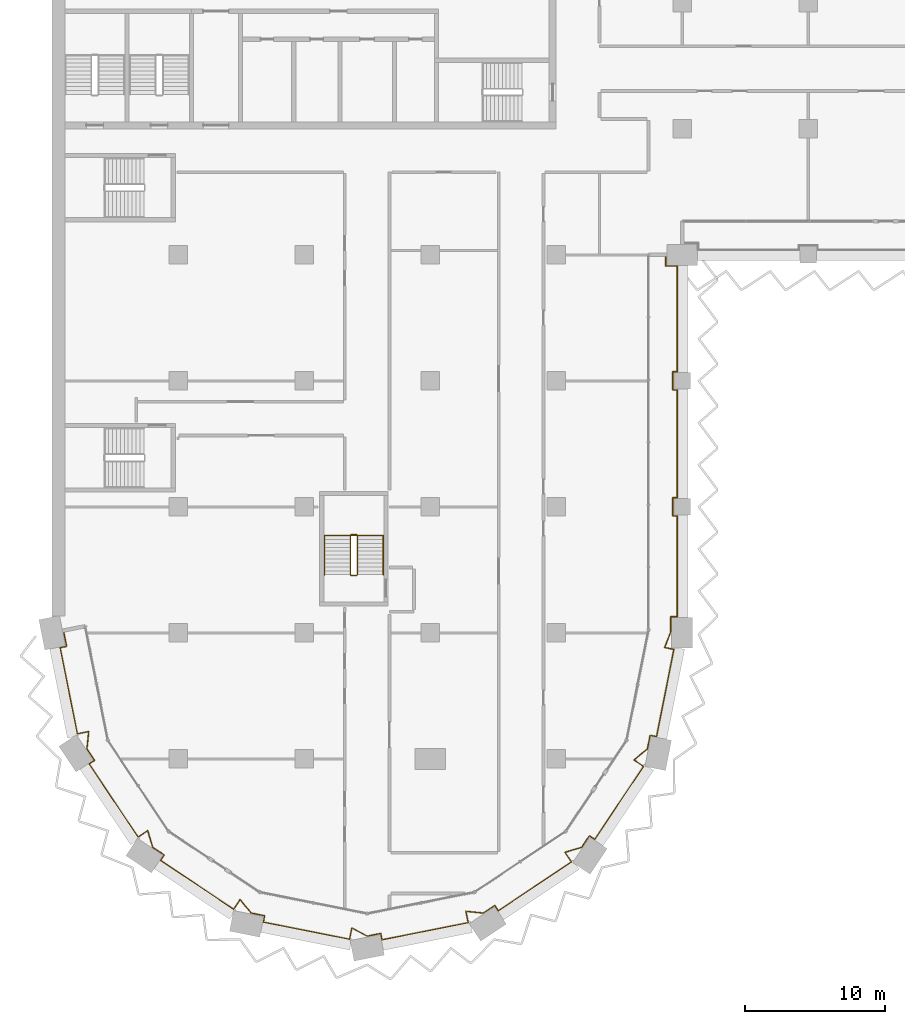
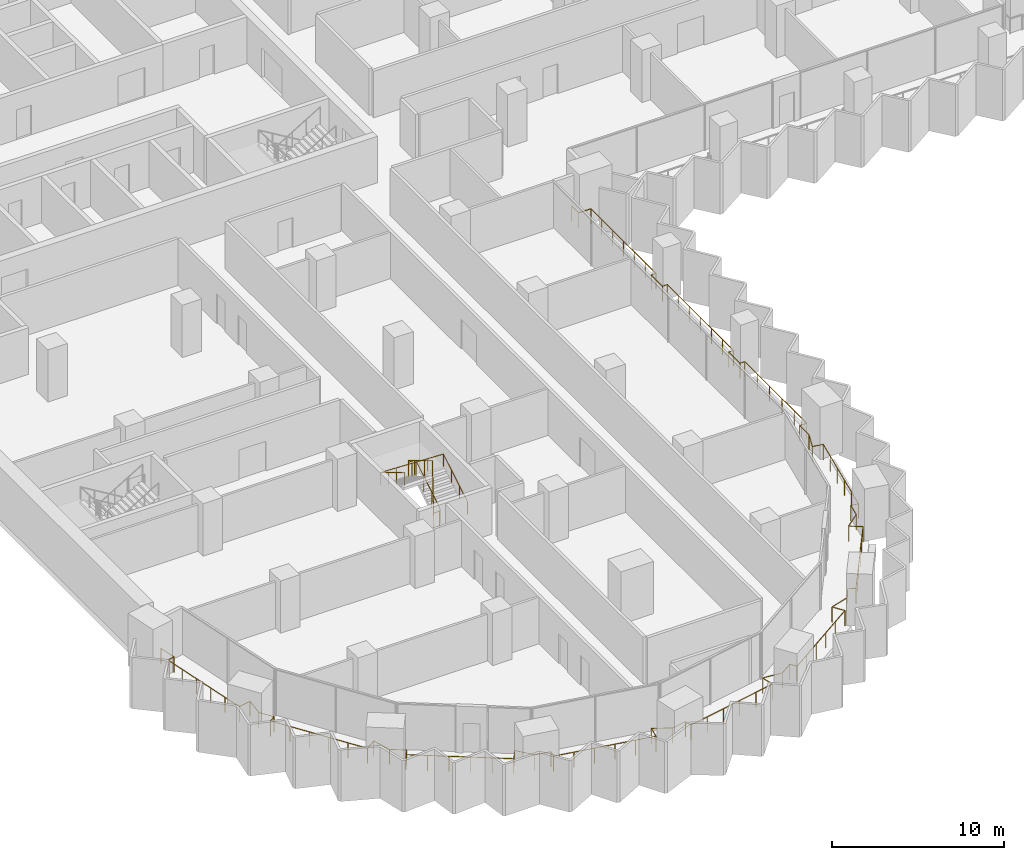
# One storey, part 20 of 23: 3 railings.
"""IFC4 building model written with IfcOpenShell, lengths in metres."""

from ifc_helpers import new_model, si_unit, direction, frame, origin, origin_2d, place, context, subcontext, project, spatial, circle, extrude, material, type_object, element, save


model = new_model("IFC4")

# Units and contexts
model_context = context("Model", 3, precision=1e-05, world=origin(), true_north=direction((0.0, 1.0)))
body_context = subcontext(model_context, "Body", "Model", "MODEL_VIEW")
ifc_project = project(units=[si_unit("LENGTHUNIT", "METRE"), si_unit("AREAUNIT", "SQUARE_METRE"), si_unit("VOLUMEUNIT", "CUBIC_METRE"), si_unit("PLANEANGLEUNIT", "RADIAN"), si_unit("MASSUNIT", "GRAM", prefix="KILO")], contexts=[model_context])

# Site, building, storey
site_placement = place(None, origin())
site = spatial("IfcSite", under=ifc_project, at=site_placement, CompositionType="ELEMENT")
building_placement = place(site_placement, origin())
building = spatial("IfcBuilding", under=site, at=building_placement, Name="Hunhe Ridgeline Campus", CompositionType="ELEMENT")
storey_placement = place(building_placement, frame((0.0, 0.0, 99.60009765625)))
storey = spatial("IfcBuildingStorey", under=building, at=storey_placement, Name="L24", CompositionType="ELEMENT", Elevation=99.60009765625)

# Railings
ifc_material_1 = material(Name="Steel Q355", Category="steel")
railing_type_1 = type_object("IfcRailingType", Name="Loggia guard 1100 Steel Q355", PredefinedType="GUARDRAIL", material=ifc_material_1)
railing_1_placement = place(storey_placement, frame((0.80419921875, 27.159912109375, 0.0)))
element("IfcRailing", 1, at=railing_1_placement, inside=storey, type_object=railing_type_1, Name="Loggia guard 1", PredefinedType="GUARDRAIL", context=body_context, shape_type="SweptSolid", body=[
    extrude(circle(Radius=0.02392578125, at=origin_2d()), frame((0.0, 0.0, 1.076171875), z_axis=(0.195095399255, -0.980784270464, 0.0), x_axis=(0.980784270464, 0.195095399255, 0.0)), (0.0, 0.0, 1.0), 1.150146484375),
    extrude(circle(Radius=0.02392578125, at=origin_2d()), frame((0.224365234375, -1.1279296875, 1.076171875), z_axis=(-0.980839571814, -0.194817181902, 0.0), x_axis=(0.194817181902, -0.980839571814, 0.0)), (0.0, 0.0, 1.0), 0.469970703125),
    extrude(circle(Radius=0.02392578125, at=origin_2d()), frame((-0.236572265625, -1.219482421875, 1.076171875), z_axis=(0.195091122585, -0.98078512116, 0.0), x_axis=(0.98078512116, 0.195091122585, 0.0)), (0.0, 0.0, 1.0), 6.27587890625),
    extrude(circle(Radius=0.02392578125, at=origin_2d()), frame((0.98779296875, -7.374755859375, 1.076171875), z_axis=(0.980805242724, 0.194989937807, 0.0), x_axis=(-0.194989937807, 0.980805242724, 0.0)), (0.0, 0.0, 1.0), 0.833984375),
    extrude(circle(Radius=0.02392578125, at=origin_2d()), frame((1.8056640625, -7.212158203125, 1.076171875), z_axis=(-0.10024174874, -0.994963110778, 0.0), x_axis=(0.994963110778, -0.10024174874, 0.0)), (0.0, 0.0, 1.0), 1.24462890625),
    extrude(circle(Radius=0.02392578125, at=origin_2d()), frame((1.680908203125, -8.450439453125, 1.076171875), z_axis=(0.555613261421, -0.831440860034, 0.0), x_axis=(0.831440860034, 0.555613261421, 0.0)), (0.0, 0.0, 1.0), 0.98681640625),
    extrude(circle(Radius=0.02392578125, at=origin_2d()), frame((2.229248046875, -9.27099609375, 1.076171875), z_axis=(-0.831650496226, -0.55529942565, 0.0), x_axis=(0.55529942565, -0.831650496226, 0.0)), (0.0, 0.0, 1.0), 0.469970703125),
    extrude(circle(Radius=0.02392578125, at=origin_2d()), frame((1.83837890625, -9.531982421875, 1.076171875), z_axis=(0.55555274607, -0.831481296443, 0.0), x_axis=(0.831481296443, 0.55555274607, 0.0)), (0.0, 0.0, 1.0), 6.27587890625),
    extrude(circle(Radius=0.02392578125, at=origin_2d()), frame((5.324951171875, -14.750244140625, 1.076171875), z_axis=(0.831419211319, 0.555645656016, 0.0), x_axis=(-0.555645656016, 0.831419211319, 0.0)), (0.0, 0.0, 1.0), 0.833984375),
    extrude(circle(Radius=0.02392578125, at=origin_2d()), frame((6.018310546875, -14.286865234375, 1.076171875), z_axis=(0.288373576958, -0.957517979002, 0.0), x_axis=(0.957517979002, 0.288373576958, 0.0)), (0.0, 0.0, 1.0), 1.24462890625),
    extrude(circle(Radius=0.02392578125, at=origin_2d()), frame((6.377197265625, -15.478515625, 1.076171875), z_axis=(0.831440860034, -0.555613261421, 0.0), x_axis=(0.555613261421, 0.831440860034, 0.0)), (0.0, 0.0, 1.0), 0.98681640625),
    extrude(circle(Radius=0.02392578125, at=origin_2d()), frame((7.19775390625, -16.02685546875, 1.076171875), z_axis=(-0.555658548717, -0.831410594856, 0.0), x_axis=(0.831410594856, -0.555658548717, 0.0)), (0.0, 0.0, 1.0), 0.47021484375),
    extrude(circle(Radius=0.02392578125, at=origin_2d()), frame((6.9365234375, -16.417724609375, 1.076171875), z_axis=(0.831469289337, -0.555570716372, 0.0), x_axis=(0.555570716372, 0.831469289337, 0.0)), (0.0, 0.0, 1.0), 6.275634765625),
    extrude(circle(Radius=0.02392578125, at=origin_2d()), frame((12.154541015625, -19.904296875, 1.076171875), z_axis=(0.555645656016, 0.831419211319, 0.0), x_axis=(-0.831419211319, 0.555645656016, 0.0)), (0.0, 0.0, 1.0), 0.833984375),
    extrude(circle(Radius=0.02392578125, at=origin_2d()), frame((12.617919921875, -19.2109375, 1.076171875), z_axis=(0.632628709191, -0.774455238414, 0.0), x_axis=(0.774455238414, 0.632628709191, 0.0)), (0.0, 0.0, 1.0), 1.24462890625),
    extrude(circle(Radius=0.02392578125, at=origin_2d()), frame((13.4052734375, -20.1748046875, 1.076171875), z_axis=(0.980770488785, -0.195164669773, 0.0), x_axis=(0.195164669773, 0.980770488785, 0.0)), (0.0, 0.0, 1.0), 0.987060546875),
    extrude(circle(Radius=0.02392578125, at=origin_2d()), frame((14.373291015625, -20.367431640625, 1.076171875), z_axis=(-0.195316901017, -0.980740183829, 0.0), x_axis=(0.980740183829, -0.195316901017, 0.0)), (0.0, 0.0, 1.0), 0.469970703125),
    extrude(circle(Radius=0.02392578125, at=origin_2d()), frame((14.281494140625, -20.828369140625, 1.076171875), z_axis=(0.98078512116, -0.195091122585, 0.0), x_axis=(0.195091122585, 0.98078512116, 0.0)), (0.0, 0.0, 1.0), 6.27587890625),
    extrude(circle(Radius=0.02392578125, at=origin_2d()), frame((20.436767578125, -22.052734375, 1.076171875), z_axis=(0.194989937807, 0.980805242724, 0.0), x_axis=(-0.980805242724, 0.194989937807, 0.0)), (0.0, 0.0, 1.0), 0.833984375),
    extrude(circle(Radius=0.02392578125, at=origin_2d()), frame((20.599365234375, -21.23486328125, 1.076171875), z_axis=(0.880980801229, -0.473152013486, 0.0), x_axis=(0.473152013486, 0.880980801229, 0.0)), (0.0, 0.0, 1.0), 1.24462890625),
    extrude(circle(Radius=0.02392578125, at=origin_2d()), frame((21.69580078125, -21.82373046875, 1.076171875), z_axis=(0.98081780924, 0.194926717196, 0.0), x_axis=(-0.194926717196, 0.98081780924, 0.0)), (0.0, 0.0, 1.0), 0.987060546875),
    extrude(circle(Radius=0.02392578125, at=origin_2d()), frame((22.663818359375, -21.63134765625, 1.076171875), z_axis=(0.194817181902, -0.980839571814, 0.0), x_axis=(0.980839571814, 0.194817181902, 0.0)), (0.0, 0.0, 1.0), 0.469970703125),
    extrude(circle(Radius=0.02392578125, at=origin_2d()), frame((22.75537109375, -22.09228515625, 1.076171875), z_axis=(0.98078512116, 0.195091122585, 0.0), x_axis=(-0.195091122585, 0.98078512116, 0.0)), (0.0, 0.0, 1.0), 6.27587890625),
    extrude(circle(Radius=0.02392578125, at=origin_2d()), frame((28.91064453125, -20.867919921875, 1.076171875), z_axis=(-0.194989937807, 0.980805242724, 0.0), x_axis=(-0.980805242724, -0.194989937807, 0.0)), (0.0, 0.0, 1.0), 0.833984375),
    extrude(circle(Radius=0.02392578125, at=origin_2d()), frame((28.748046875, -20.050048828125, 1.076171875), z_axis=(0.994963110778, -0.10024174874, 0.0), x_axis=(0.10024174874, 0.994963110778, 0.0)), (0.0, 0.0, 1.0), 1.24462890625),
    extrude(circle(Radius=0.02392578125, at=origin_2d()), frame((29.986328125, -20.1748046875, 1.076171875), z_axis=(0.831440860034, 0.555613261421, 0.0), x_axis=(-0.555613261421, 0.831440860034, 0.0)), (0.0, 0.0, 1.0), 0.98681640625),
    extrude(circle(Radius=0.02392578125, at=origin_2d()), frame((30.806884765625, -19.62646484375, 1.076171875), z_axis=(0.55529942565, -0.831650496226, 0.0), x_axis=(0.831650496226, 0.55529942565, 0.0)), (0.0, 0.0, 1.0), 0.469970703125),
    extrude(circle(Radius=0.02392578125, at=origin_2d()), frame((31.06787109375, -20.017333984375, 1.076171875), z_axis=(0.831481296443, 0.55555274607, 0.0), x_axis=(-0.55555274607, 0.831481296443, 0.0)), (0.0, 0.0, 1.0), 6.27587890625),
    extrude(circle(Radius=0.02392578125, at=origin_2d()), frame((36.2861328125, -16.53076171875, 1.076171875), z_axis=(-0.555645656016, 0.831419211319, 0.0), x_axis=(-0.831419211319, -0.555645656016, 0.0)), (0.0, 0.0, 1.0), 0.833984375),
    extrude(circle(Radius=0.02392578125, at=origin_2d()), frame((35.82275390625, -15.83740234375, 1.076171875), z_axis=(0.957517979002, 0.288373576958, 0.0), x_axis=(-0.288373576958, 0.957517979002, 0.0)), (0.0, 0.0, 1.0), 1.24462890625),
    extrude(circle(Radius=0.02392578125, at=origin_2d()), frame((37.014404296875, -15.478515625, 1.076171875), z_axis=(0.555613261421, 0.831440860034, 0.0), x_axis=(-0.831440860034, 0.555613261421, 0.0)), (0.0, 0.0, 1.0), 0.98681640625),
    extrude(circle(Radius=0.02392578125, at=origin_2d()), frame((37.562744140625, -14.657958984375, 1.076171875), z_axis=(0.831410594856, -0.555658548717, 0.0), x_axis=(0.555658548717, 0.831410594856, 0.0)), (0.0, 0.0, 1.0), 0.47021484375),
    extrude(circle(Radius=0.02392578125, at=origin_2d()), frame((37.95361328125, -14.919189453125, 1.076171875), z_axis=(0.555570716372, 0.831469289337, 0.0), x_axis=(-0.831469289337, 0.555570716372, 0.0)), (0.0, 0.0, 1.0), 6.275634765625),
    extrude(circle(Radius=0.02392578125, at=origin_2d()), frame((41.440185546875, -9.701171875, 1.076171875), z_axis=(-0.831419211319, 0.555645656016, 0.0), x_axis=(-0.555645656016, -0.831419211319, 0.0)), (0.0, 0.0, 1.0), 0.833984375),
    extrude(circle(Radius=0.02392578125, at=origin_2d()), frame((40.746826171875, -9.23779296875, 1.076171875), z_axis=(0.774455238414, 0.632628709191, 0.0), x_axis=(-0.632628709191, 0.774455238414, 0.0)), (0.0, 0.0, 1.0), 1.24462890625),
    extrude(circle(Radius=0.02392578125, at=origin_2d()), frame((41.710693359375, -8.450439453125, 1.076171875), z_axis=(0.195164669773, 0.980770488785, 0.0), x_axis=(-0.980770488785, 0.195164669773, 0.0)), (0.0, 0.0, 1.0), 0.987060546875),
    extrude(circle(Radius=0.02392578125, at=origin_2d()), frame((41.9033203125, -7.482421875, 1.076171875), z_axis=(0.980740183829, -0.195316901017, 0.0), x_axis=(0.195316901017, 0.980740183829, 0.0)), (0.0, 0.0, 1.0), 0.469970703125),
    extrude(circle(Radius=0.02392578125, at=origin_2d()), frame((42.3642578125, -7.57421875, 1.076171875), z_axis=(0.195074166836, 0.98078849373, 0.0), x_axis=(-0.98078849373, 0.195074166836, 0.0)), (0.0, 0.0, 1.0), 6.35400390625),
    extrude(circle(Radius=0.02392578125, at=origin_2d()), frame((43.603759765625, -1.34228515625, 1.076171875), z_axis=(-0.980818178173, 0.194924860818, 0.0), x_axis=(-0.194924860818, -0.980818178173, 0.0)), (0.0, 0.0, 1.0), 0.670166015625),
    extrude(circle(Radius=0.02392578125, at=origin_2d()), frame((42.946533203125, -1.211669921875, 1.076171875), z_axis=(0.354368618256, 0.935105813475, 0.0), x_axis=(-0.935105813475, 0.354368618256, 0.0)), (0.0, 0.0, 1.0), 1.211181640625),
    extrude(circle(Radius=0.02392578125, at=origin_2d()), frame((43.375732421875, -0.0791015625, 1.076171875), z_axis=(0.0, 1.0, 0.0), x_axis=(-1.0, 0.0, 0.0)), (0.0, 0.0, 1.0), 1.069091796875),
    extrude(circle(Radius=0.02392578125, at=origin_2d()), frame((43.375732421875, 0.989990234375, 1.076171875), z_axis=(1.0, 0.0, 0.0), x_axis=(0.0, 1.0, 0.0)), (0.0, 0.0, 1.0), 0.469970703125),
    extrude(circle(Radius=0.02392578125, at=origin_2d()), frame((43.845703125, 0.989990234375, 1.076171875), z_axis=(0.0, 1.0, 0.0), x_axis=(-1.0, 0.0, 0.0)), (0.0, 0.0, 1.0), 7.2001953125),
    extrude(circle(Radius=0.02392578125, at=origin_2d()), frame((43.845703125, 8.190185546875, 1.076171875), z_axis=(-1.0, 0.0, 0.0), x_axis=(0.0, -1.0, 0.0)), (0.0, 0.0, 1.0), 0.31982421875),
    extrude(circle(Radius=0.02392578125, at=origin_2d()), frame((43.52587890625, 8.190185546875, 1.076171875), z_axis=(0.0, 1.0, 0.0), x_axis=(-1.0, 0.0, 0.0)), (0.0, 0.0, 1.0), 1.2998046875),
    extrude(circle(Radius=0.02392578125, at=origin_2d()), frame((43.52587890625, 9.489990234375, 1.076171875), z_axis=(1.0, 0.0, 0.0), x_axis=(0.0, 1.0, 0.0)), (0.0, 0.0, 1.0), 0.31982421875),
    extrude(circle(Radius=0.02392578125, at=origin_2d()), frame((43.845703125, 9.489990234375, 1.076171875), z_axis=(0.0, 1.0, 0.0), x_axis=(-1.0, 0.0, 0.0)), (0.0, 0.0, 1.0), 7.7001953125),
    extrude(circle(Radius=0.02392578125, at=origin_2d()), frame((43.845703125, 17.190185546875, 1.076171875), z_axis=(-1.0, 0.0, 0.0), x_axis=(0.0, -1.0, 0.0)), (0.0, 0.0, 1.0), 0.31982421875),
    extrude(circle(Radius=0.02392578125, at=origin_2d()), frame((43.52587890625, 17.190185546875, 1.076171875), z_axis=(0.0, 1.0, 0.0), x_axis=(-1.0, 0.0, 0.0)), (0.0, 0.0, 1.0), 1.2998046875),
    extrude(circle(Radius=0.02392578125, at=origin_2d()), frame((43.52587890625, 18.489990234375, 1.076171875), z_axis=(1.0, 0.0, 0.0), x_axis=(0.0, 1.0, 0.0)), (0.0, 0.0, 1.0), 0.31982421875),
    extrude(circle(Radius=0.02392578125, at=origin_2d()), frame((43.845703125, 18.489990234375, 1.076171875), z_axis=(0.0, 1.0, 0.0), x_axis=(-1.0, 0.0, 0.0)), (0.0, 0.0, 1.0), 7.550048828125),
    extrude(circle(Radius=0.02392578125, at=origin_2d()), frame((43.845703125, 26.0400390625, 1.076171875), z_axis=(-1.0, 0.0, 0.0), x_axis=(0.0, -1.0, 0.0)), (0.0, 0.0, 1.0), 0.81982421875),
    extrude(circle(Radius=0.02392578125, at=origin_2d()), frame((43.02587890625, 26.0400390625, 1.076171875), z_axis=(0.0, 1.0, 0.0), x_axis=(-1.0, 0.0, 0.0)), (0.0, 0.0, 1.0), 0.800048828125),
    extrude(circle(Radius=0.02099609375, at=origin_2d()), origin(), (0.0, 0.0, 1.0), 1.052001953125),
    extrude(circle(Radius=0.02099609375, at=origin_2d()), frame((0.224365234375, -1.1279296875, 0.0)), (0.0, 0.0, 1.0), 1.052001953125),
    extrude(circle(Radius=0.02099609375, at=origin_2d()), frame((-0.236572265625, -1.219482421875, 0.0)), (0.0, 0.0, 1.0), 1.052001953125),
    extrude(circle(Radius=0.02099609375, at=origin_2d()), frame((0.00830078125, -2.450439453125, 0.0)), (0.0, 0.0, 1.0), 1.052001953125),
    extrude(circle(Radius=0.02099609375, at=origin_2d()), frame((0.253173828125, -3.681640625, 0.0)), (0.0, 0.0, 1.0), 1.052001953125),
    extrude(circle(Radius=0.02099609375, at=origin_2d()), frame((0.498046875, -4.91259765625, 0.0)), (0.0, 0.0, 1.0), 1.052001953125),
    extrude(circle(Radius=0.02099609375, at=origin_2d()), frame((0.742919921875, -6.143798828125, 0.0)), (0.0, 0.0, 1.0), 1.052001953125),
    extrude(circle(Radius=0.02099609375, at=origin_2d()), frame((0.98779296875, -7.374755859375, 0.0)), (0.0, 0.0, 1.0), 1.052001953125),
    extrude(circle(Radius=0.02099609375, at=origin_2d()), frame((1.8056640625, -7.212158203125, 0.0)), (0.0, 0.0, 1.0), 1.052001953125),
    extrude(circle(Radius=0.02099609375, at=origin_2d()), frame((1.680908203125, -8.450439453125, 0.0)), (0.0, 0.0, 1.0), 1.052001953125),
    extrude(circle(Radius=0.02099609375, at=origin_2d()), frame((2.229248046875, -9.27099609375, 0.0)), (0.0, 0.0, 1.0), 1.052001953125),
    extrude(circle(Radius=0.02099609375, at=origin_2d()), frame((1.83837890625, -9.531982421875, 0.0)), (0.0, 0.0, 1.0), 1.052001953125),
    extrude(circle(Radius=0.02099609375, at=origin_2d()), frame((2.53564453125, -10.57568359375, 0.0)), (0.0, 0.0, 1.0), 1.052001953125),
    extrude(circle(Radius=0.02099609375, at=origin_2d()), frame((3.23291015625, -11.619384765625, 0.0)), (0.0, 0.0, 1.0), 1.052001953125),
    extrude(circle(Radius=0.02099609375, at=origin_2d()), frame((3.930419921875, -12.662841796875, 0.0)), (0.0, 0.0, 1.0), 1.052001953125),
    extrude(circle(Radius=0.02099609375, at=origin_2d()), frame((4.627685546875, -13.70654296875, 0.0)), (0.0, 0.0, 1.0), 1.052001953125),
    extrude(circle(Radius=0.02099609375, at=origin_2d()), frame((5.324951171875, -14.750244140625, 0.0)), (0.0, 0.0, 1.0), 1.052001953125),
    extrude(circle(Radius=0.02099609375, at=origin_2d()), frame((6.018310546875, -14.286865234375, 0.0)), (0.0, 0.0, 1.0), 1.052001953125),
    extrude(circle(Radius=0.02099609375, at=origin_2d()), frame((6.377197265625, -15.478515625, 0.0)), (0.0, 0.0, 1.0), 1.052001953125),
    extrude(circle(Radius=0.02099609375, at=origin_2d()), frame((7.19775390625, -16.02685546875, 0.0)), (0.0, 0.0, 1.0), 1.052001953125),
    extrude(circle(Radius=0.02099609375, at=origin_2d()), frame((6.9365234375, -16.417724609375, 0.0)), (0.0, 0.0, 1.0), 1.052001953125),
    extrude(circle(Radius=0.02099609375, at=origin_2d()), frame((7.980224609375, -17.114990234375, 0.0)), (0.0, 0.0, 1.0), 1.052001953125),
    extrude(circle(Radius=0.02099609375, at=origin_2d()), frame((9.023681640625, -17.812255859375, 0.0)), (0.0, 0.0, 1.0), 1.052001953125),
    extrude(circle(Radius=0.02099609375, at=origin_2d()), frame((10.0673828125, -18.509765625, 0.0)), (0.0, 0.0, 1.0), 1.052001953125),
    extrude(circle(Radius=0.02099609375, at=origin_2d()), frame((11.11083984375, -19.20703125, 0.0)), (0.0, 0.0, 1.0), 1.052001953125),
    extrude(circle(Radius=0.02099609375, at=origin_2d()), frame((12.154541015625, -19.904296875, 0.0)), (0.0, 0.0, 1.0), 1.052001953125),
    extrude(circle(Radius=0.02099609375, at=origin_2d()), frame((12.617919921875, -19.2109375, 0.0)), (0.0, 0.0, 1.0), 1.052001953125),
    extrude(circle(Radius=0.02099609375, at=origin_2d()), frame((13.4052734375, -20.1748046875, 0.0)), (0.0, 0.0, 1.0), 1.052001953125),
    extrude(circle(Radius=0.02099609375, at=origin_2d()), frame((14.373291015625, -20.367431640625, 0.0)), (0.0, 0.0, 1.0), 1.052001953125),
    extrude(circle(Radius=0.02099609375, at=origin_2d()), frame((14.281494140625, -20.828369140625, 0.0)), (0.0, 0.0, 1.0), 1.052001953125),
    extrude(circle(Radius=0.02099609375, at=origin_2d()), frame((15.512451171875, -21.0732421875, 0.0)), (0.0, 0.0, 1.0), 1.052001953125),
    extrude(circle(Radius=0.02099609375, at=origin_2d()), frame((16.74365234375, -21.318115234375, 0.0)), (0.0, 0.0, 1.0), 1.052001953125),
    extrude(circle(Radius=0.02099609375, at=origin_2d()), frame((17.974609375, -21.56298828125, 0.0)), (0.0, 0.0, 1.0), 1.052001953125),
    extrude(circle(Radius=0.02099609375, at=origin_2d()), frame((19.205810546875, -21.807861328125, 0.0)), (0.0, 0.0, 1.0), 1.052001953125),
    extrude(circle(Radius=0.02099609375, at=origin_2d()), frame((20.436767578125, -22.052734375, 0.0)), (0.0, 0.0, 1.0), 1.052001953125),
    extrude(circle(Radius=0.02099609375, at=origin_2d()), frame((20.599365234375, -21.23486328125, 0.0)), (0.0, 0.0, 1.0), 1.052001953125),
    extrude(circle(Radius=0.02099609375, at=origin_2d()), frame((21.69580078125, -21.82373046875, 0.0)), (0.0, 0.0, 1.0), 1.052001953125),
    extrude(circle(Radius=0.02099609375, at=origin_2d()), frame((22.663818359375, -21.63134765625, 0.0)), (0.0, 0.0, 1.0), 1.052001953125),
    extrude(circle(Radius=0.02099609375, at=origin_2d()), frame((22.75537109375, -22.09228515625, 0.0)), (0.0, 0.0, 1.0), 1.052001953125),
    extrude(circle(Radius=0.02099609375, at=origin_2d()), frame((23.986328125, -21.847412109375, 0.0)), (0.0, 0.0, 1.0), 1.052001953125),
    extrude(circle(Radius=0.02099609375, at=origin_2d()), frame((25.217529296875, -21.6025390625, 0.0)), (0.0, 0.0, 1.0), 1.052001953125),
    extrude(circle(Radius=0.02099609375, at=origin_2d()), frame((26.448486328125, -21.357666015625, 0.0)), (0.0, 0.0, 1.0), 1.052001953125),
    extrude(circle(Radius=0.02099609375, at=origin_2d()), frame((27.6796875, -21.11279296875, 0.0)), (0.0, 0.0, 1.0), 1.052001953125),
    extrude(circle(Radius=0.02099609375, at=origin_2d()), frame((28.91064453125, -20.867919921875, 0.0)), (0.0, 0.0, 1.0), 1.052001953125),
    extrude(circle(Radius=0.02099609375, at=origin_2d()), frame((28.748046875, -20.050048828125, 0.0)), (0.0, 0.0, 1.0), 1.052001953125),
    extrude(circle(Radius=0.02099609375, at=origin_2d()), frame((29.986328125, -20.1748046875, 0.0)), (0.0, 0.0, 1.0), 1.052001953125),
    extrude(circle(Radius=0.02099609375, at=origin_2d()), frame((30.806884765625, -19.62646484375, 0.0)), (0.0, 0.0, 1.0), 1.052001953125),
    extrude(circle(Radius=0.02099609375, at=origin_2d()), frame((31.06787109375, -20.017333984375, 0.0)), (0.0, 0.0, 1.0), 1.052001953125),
    extrude(circle(Radius=0.02099609375, at=origin_2d()), frame((32.111572265625, -19.320068359375, 0.0)), (0.0, 0.0, 1.0), 1.052001953125),
    extrude(circle(Radius=0.02099609375, at=origin_2d()), frame((33.1552734375, -18.622802734375, 0.0)), (0.0, 0.0, 1.0), 1.052001953125),
    extrude(circle(Radius=0.02099609375, at=origin_2d()), frame((34.19873046875, -17.92529296875, 0.0)), (0.0, 0.0, 1.0), 1.052001953125),
    extrude(circle(Radius=0.02099609375, at=origin_2d()), frame((35.242431640625, -17.22802734375, 0.0)), (0.0, 0.0, 1.0), 1.052001953125),
    extrude(circle(Radius=0.02099609375, at=origin_2d()), frame((36.2861328125, -16.53076171875, 0.0)), (0.0, 0.0, 1.0), 1.052001953125),
    extrude(circle(Radius=0.02099609375, at=origin_2d()), frame((35.82275390625, -15.83740234375, 0.0)), (0.0, 0.0, 1.0), 1.052001953125),
    extrude(circle(Radius=0.02099609375, at=origin_2d()), frame((37.014404296875, -15.478515625, 0.0)), (0.0, 0.0, 1.0), 1.052001953125),
    extrude(circle(Radius=0.02099609375, at=origin_2d()), frame((37.562744140625, -14.657958984375, 0.0)), (0.0, 0.0, 1.0), 1.052001953125),
    extrude(circle(Radius=0.02099609375, at=origin_2d()), frame((37.95361328125, -14.919189453125, 0.0)), (0.0, 0.0, 1.0), 1.052001953125),
    extrude(circle(Radius=0.02099609375, at=origin_2d()), frame((38.65087890625, -13.87548828125, 0.0)), (0.0, 0.0, 1.0), 1.052001953125),
    extrude(circle(Radius=0.02099609375, at=origin_2d()), frame((39.34814453125, -12.83203125, 0.0)), (0.0, 0.0, 1.0), 1.052001953125),
    extrude(circle(Radius=0.02099609375, at=origin_2d()), frame((40.045654296875, -11.788330078125, 0.0)), (0.0, 0.0, 1.0), 1.052001953125),
    extrude(circle(Radius=0.02099609375, at=origin_2d()), frame((40.742919921875, -10.744873046875, 0.0)), (0.0, 0.0, 1.0), 1.052001953125),
    extrude(circle(Radius=0.02099609375, at=origin_2d()), frame((41.440185546875, -9.701171875, 0.0)), (0.0, 0.0, 1.0), 1.052001953125),
    extrude(circle(Radius=0.02099609375, at=origin_2d()), frame((40.746826171875, -9.23779296875, 0.0)), (0.0, 0.0, 1.0), 1.052001953125),
    extrude(circle(Radius=0.02099609375, at=origin_2d()), frame((41.710693359375, -8.450439453125, 0.0)), (0.0, 0.0, 1.0), 1.052001953125),
    extrude(circle(Radius=0.02099609375, at=origin_2d()), frame((41.9033203125, -7.482421875, 0.0)), (0.0, 0.0, 1.0), 1.052001953125),
    extrude(circle(Radius=0.02099609375, at=origin_2d()), frame((42.3642578125, -7.57421875, 0.0)), (0.0, 0.0, 1.0), 1.052001953125),
    extrude(circle(Radius=0.02099609375, at=origin_2d()), frame((42.612060546875, -6.327880859375, 0.0)), (0.0, 0.0, 1.0), 1.052001953125),
    extrude(circle(Radius=0.02099609375, at=origin_2d()), frame((42.860107421875, -5.08154296875, 0.0)), (0.0, 0.0, 1.0), 1.052001953125),
    extrude(circle(Radius=0.02099609375, at=origin_2d()), frame((43.10791015625, -3.8349609375, 0.0)), (0.0, 0.0, 1.0), 1.052001953125),
    extrude(circle(Radius=0.02099609375, at=origin_2d()), frame((43.35595703125, -2.588623046875, 0.0)), (0.0, 0.0, 1.0), 1.052001953125),
    extrude(circle(Radius=0.02099609375, at=origin_2d()), frame((43.603759765625, -1.34228515625, 0.0)), (0.0, 0.0, 1.0), 1.052001953125),
    extrude(circle(Radius=0.02099609375, at=origin_2d()), frame((42.946533203125, -1.211669921875, 0.0)), (0.0, 0.0, 1.0), 1.052001953125),
    extrude(circle(Radius=0.02099609375, at=origin_2d()), frame((43.375732421875, -0.0791015625, 0.0)), (0.0, 0.0, 1.0), 1.052001953125),
    extrude(circle(Radius=0.02099609375, at=origin_2d()), frame((43.375732421875, 0.989990234375, 0.0)), (0.0, 0.0, 1.0), 1.052001953125),
    extrude(circle(Radius=0.02099609375, at=origin_2d()), frame((43.845703125, 0.989990234375, 0.0)), (0.0, 0.0, 1.0), 1.052001953125),
    extrude(circle(Radius=0.02099609375, at=origin_2d()), frame((43.845703125, 2.429931640625, 0.0)), (0.0, 0.0, 1.0), 1.052001953125),
    extrude(circle(Radius=0.02099609375, at=origin_2d()), frame((43.845703125, 3.8701171875, 0.0)), (0.0, 0.0, 1.0), 1.052001953125),
    extrude(circle(Radius=0.02099609375, at=origin_2d()), frame((43.845703125, 5.31005859375, 0.0)), (0.0, 0.0, 1.0), 1.052001953125),
    extrude(circle(Radius=0.02099609375, at=origin_2d()), frame((43.845703125, 6.750244140625, 0.0)), (0.0, 0.0, 1.0), 1.052001953125),
    extrude(circle(Radius=0.02099609375, at=origin_2d()), frame((43.845703125, 8.190185546875, 0.0)), (0.0, 0.0, 1.0), 1.052001953125),
    extrude(circle(Radius=0.02099609375, at=origin_2d()), frame((43.52587890625, 8.190185546875, 0.0)), (0.0, 0.0, 1.0), 1.052001953125),
    extrude(circle(Radius=0.02099609375, at=origin_2d()), frame((43.52587890625, 9.489990234375, 0.0)), (0.0, 0.0, 1.0), 1.052001953125),
    extrude(circle(Radius=0.02099609375, at=origin_2d()), frame((43.845703125, 9.489990234375, 0.0)), (0.0, 0.0, 1.0), 1.052001953125),
    extrude(circle(Radius=0.02099609375, at=origin_2d()), frame((43.845703125, 10.7734375, 0.0)), (0.0, 0.0, 1.0), 1.052001953125),
    extrude(circle(Radius=0.02099609375, at=origin_2d()), frame((43.845703125, 12.056640625, 0.0)), (0.0, 0.0, 1.0), 1.052001953125),
    extrude(circle(Radius=0.02099609375, at=origin_2d()), frame((43.845703125, 13.340087890625, 0.0)), (0.0, 0.0, 1.0), 1.052001953125),
    extrude(circle(Radius=0.02099609375, at=origin_2d()), frame((43.845703125, 14.62353515625, 0.0)), (0.0, 0.0, 1.0), 1.052001953125),
    extrude(circle(Radius=0.02099609375, at=origin_2d()), frame((43.845703125, 15.90673828125, 0.0)), (0.0, 0.0, 1.0), 1.052001953125),
    extrude(circle(Radius=0.02099609375, at=origin_2d()), frame((43.845703125, 17.190185546875, 0.0)), (0.0, 0.0, 1.0), 1.052001953125),
    extrude(circle(Radius=0.02099609375, at=origin_2d()), frame((43.52587890625, 17.190185546875, 0.0)), (0.0, 0.0, 1.0), 1.052001953125),
    extrude(circle(Radius=0.02099609375, at=origin_2d()), frame((43.52587890625, 18.489990234375, 0.0)), (0.0, 0.0, 1.0), 1.052001953125),
    extrude(circle(Radius=0.02099609375, at=origin_2d()), frame((43.845703125, 18.489990234375, 0.0)), (0.0, 0.0, 1.0), 1.052001953125),
    extrude(circle(Radius=0.02099609375, at=origin_2d()), frame((43.845703125, 19.748291015625, 0.0)), (0.0, 0.0, 1.0), 1.052001953125),
    extrude(circle(Radius=0.02099609375, at=origin_2d()), frame((43.845703125, 21.006591796875, 0.0)), (0.0, 0.0, 1.0), 1.052001953125),
    extrude(circle(Radius=0.02099609375, at=origin_2d()), frame((43.845703125, 22.26513671875, 0.0)), (0.0, 0.0, 1.0), 1.052001953125),
    extrude(circle(Radius=0.02099609375, at=origin_2d()), frame((43.845703125, 23.5234375, 0.0)), (0.0, 0.0, 1.0), 1.052001953125),
    extrude(circle(Radius=0.02099609375, at=origin_2d()), frame((43.845703125, 24.78173828125, 0.0)), (0.0, 0.0, 1.0), 1.052001953125),
    extrude(circle(Radius=0.02099609375, at=origin_2d()), frame((43.845703125, 26.0400390625, 0.0)), (0.0, 0.0, 1.0), 1.052001953125),
    extrude(circle(Radius=0.02099609375, at=origin_2d()), frame((43.02587890625, 26.0400390625, 0.0)), (0.0, 0.0, 1.0), 1.052001953125),
    extrude(circle(Radius=0.02099609375, at=origin_2d()), frame((43.02587890625, 26.840087890625, 0.0)), (0.0, 0.0, 1.0), 1.052001953125),
])
ifc_material_2 = material(Name="Stainless steel balustrade", Category="steel")
railing_type_2 = type_object("IfcRailingType", Name="Stair guard 1100 stainless", PredefinedType="GUARDRAIL", material=ifc_material_2)
railing_2_placement = place(storey_placement, frame((21.800048828125, 31.14990234375, 0.16796875)))
element("IfcRailing", 2, at=railing_2_placement, inside=storey, type_object=railing_type_2, Name="L24 stair W3 guard", PredefinedType="GUARDRAIL", context=body_context, shape_type="SweptSolid", body=[
    extrude(circle(Radius=0.02392578125, at=origin_2d()), frame((0.0, 0.0, 1.076171875), z_axis=(0.0, 0.857242210791, 0.514913383045), x_axis=(-1.0, 0.0, 0.0)), (0.0, 0.0, 1.0), 3.266357421875),
    extrude(circle(Radius=0.02392578125, at=origin_2d()), frame((0.0, 2.800048828125, 2.7578125), z_axis=(-0.707106781187, 0.707106781187, 0.0), x_axis=(-0.707106781187, -0.707106781187, 0.0)), (0.0, 0.0, 1.0), 0.07080078125),
    extrude(circle(Radius=0.02392578125, at=origin_2d()), frame((-0.050048828125, 2.85009765625, 2.7578125), z_axis=(-1.0, 0.0, 0.0), x_axis=(0.0, -1.0, 0.0)), (0.0, 0.0, 1.0), 0.39990234375),
    extrude(circle(Radius=0.02392578125, at=origin_2d()), frame((-0.449951171875, 2.85009765625, 2.7578125), z_axis=(-0.274243871929, -0.274243871929, 0.92172696468), x_axis=(0.707106781187, -0.707106781187, 0.0)), (0.0, 0.0, 1.0), 0.1826171875),
    extrude(circle(Radius=0.02392578125, at=origin_2d()), frame((-0.5, 2.800048828125, 2.92626953125), z_axis=(0.0, -0.857242210791, 0.514913383045), x_axis=(1.0, 0.0, 0.0)), (0.0, 0.0, 1.0), 3.266357421875),
    extrude(circle(Radius=0.02392578125, at=origin_2d()), frame((-0.5, 0.0, 4.60791015625), z_axis=(0.013524426427, -0.013458453615, -0.999817963389), x_axis=(0.705375805398, 0.708833529934, 0.0)), (0.0, 0.0, 1.0), 3.70068359375),
    extrude(circle(Radius=0.02392578125, at=origin_2d()), frame((-0.449951171875, -0.0498046875, 0.908203125), z_axis=(1.0, 0.0, 0.0), x_axis=(0.0, 1.0, 0.0)), (0.0, 0.0, 1.0), 0.39990234375),
    extrude(circle(Radius=0.02099609375, at=origin_2d()), origin(), (0.0, 0.0, 1.0), 1.052001953125),
    extrude(circle(Radius=0.02099609375, at=origin_2d()), frame((0.0, 0.933349609375, 0.560546875)), (0.0, 0.0, 1.0), 1.052001953125),
    extrude(circle(Radius=0.02099609375, at=origin_2d()), frame((0.0, 1.86669921875, 1.121337890625)), (0.0, 0.0, 1.0), 1.052001953125),
    extrude(circle(Radius=0.02099609375, at=origin_2d()), frame((0.0, 2.800048828125, 1.681884765625)), (0.0, 0.0, 1.0), 1.052001953125),
    extrude(circle(Radius=0.02099609375, at=origin_2d()), frame((-0.050048828125, 2.85009765625, 1.681884765625)), (0.0, 0.0, 1.0), 1.052001953125),
    extrude(circle(Radius=0.02099609375, at=origin_2d()), frame((-0.449951171875, 2.85009765625, 1.681884765625)), (0.0, 0.0, 1.0), 1.052001953125),
    extrude(circle(Radius=0.02099609375, at=origin_2d()), frame((-0.5, 2.800048828125, 1.85009765625)), (0.0, 0.0, 1.0), 1.052001953125),
    extrude(circle(Radius=0.02099609375, at=origin_2d()), frame((-0.5, 1.86669921875, 2.41064453125)), (0.0, 0.0, 1.0), 1.052001953125),
    extrude(circle(Radius=0.02099609375, at=origin_2d()), frame((-0.5, 0.933349609375, 2.971435546875)), (0.0, 0.0, 1.0), 1.052001953125),
    extrude(circle(Radius=0.02099609375, at=origin_2d()), frame((-0.5, 0.0, 3.531982421875)), (0.0, 0.0, 1.0), 1.052001953125),
    extrude(circle(Radius=0.02099609375, at=origin_2d()), frame((-0.487548828125, -0.012451171875, 2.60693359375)), (0.0, 0.0, 1.0), 1.052001953125),
    extrude(circle(Radius=0.02099609375, at=origin_2d()), frame((-0.47509765625, -0.02490234375, 1.68212890625)), (0.0, 0.0, 1.0), 1.052001953125),
    extrude(circle(Radius=0.02099609375, at=origin_2d()), frame((-0.46240234375, -0.037353515625, 0.757080078125)), (0.0, 0.0, 1.0), 1.052001953125),
    extrude(circle(Radius=0.02099609375, at=origin_2d()), frame((-0.449951171875, -0.0498046875, -0.16796875)), (0.0, 0.0, 1.0), 1.052001953125),
    extrude(circle(Radius=0.02099609375, at=origin_2d()), frame((-0.050048828125, -0.0498046875, -0.16796875)), (0.0, 0.0, 1.0), 1.052001953125),
])
ifc_material_3 = material(Name="Stainless steel handrail", Category="steel")
railing_type_3 = type_object("IfcRailingType", Name="Stair handrail 900 stainless", PredefinedType="HANDRAIL", material=ifc_material_3)
railing_3_placement = place(storey_placement, frame((23.64990234375, 31.14990234375, 0.16796875)))
element("IfcRailing", 3, at=railing_3_placement, inside=storey, type_object=railing_type_3, Name="L24 stair W3 handrail", PredefinedType="HANDRAIL", context=body_context, shape_type="SweptSolid", body=[
    extrude(circle(Radius=0.02392578125, at=origin_2d()), frame((0.0, 0.0, 0.8759765625), z_axis=(0.0, 0.857242210791, 0.514913383045), x_axis=(-1.0, 0.0, 0.0)), (0.0, 0.0, 1.0), 3.266357421875),
    extrude(circle(Radius=0.02392578125, at=origin_2d()), frame((0.0, 2.800048828125, 2.5576171875), z_axis=(-0.999198916169, 0.0, 0.040019069537), x_axis=(0.0, -1.0, 0.0)), (0.0, 0.0, 1.0), 4.203369140625),
    extrude(circle(Radius=0.02392578125, at=origin_2d()), frame((-4.199951171875, 2.800048828125, 2.72607421875), z_axis=(0.0, -0.857242210791, 0.514913383045), x_axis=(1.0, 0.0, 0.0)), (0.0, 0.0, 1.0), 3.266357421875),
    extrude(circle(Radius=0.02099609375, at=origin_2d()), origin(), (0.0, 0.0, 1.0), 0.851806640625),
    extrude(circle(Radius=0.02099609375, at=origin_2d()), frame((0.0, 0.933349609375, 0.560546875)), (0.0, 0.0, 1.0), 0.851806640625),
    extrude(circle(Radius=0.02099609375, at=origin_2d()), frame((0.0, 1.86669921875, 1.121337890625)), (0.0, 0.0, 1.0), 0.851806640625),
    extrude(circle(Radius=0.02099609375, at=origin_2d()), frame((0.0, 2.800048828125, 1.681884765625)), (0.0, 0.0, 1.0), 0.851806640625),
    extrude(circle(Radius=0.02099609375, at=origin_2d()), frame((-1.050048828125, 2.800048828125, 1.723876953125)), (0.0, 0.0, 1.0), 0.851806640625),
    extrude(circle(Radius=0.02099609375, at=origin_2d()), frame((-2.10009765625, 2.800048828125, 1.76611328125)), (0.0, 0.0, 1.0), 0.851806640625),
    extrude(circle(Radius=0.02099609375, at=origin_2d()), frame((-3.14990234375, 2.800048828125, 1.80810546875)), (0.0, 0.0, 1.0), 0.851806640625),
    extrude(circle(Radius=0.02099609375, at=origin_2d()), frame((-4.199951171875, 2.800048828125, 1.85009765625)), (0.0, 0.0, 1.0), 0.851806640625),
    extrude(circle(Radius=0.02099609375, at=origin_2d()), frame((-4.199951171875, 1.86669921875, 2.41064453125)), (0.0, 0.0, 1.0), 0.851806640625),
    extrude(circle(Radius=0.02099609375, at=origin_2d()), frame((-4.199951171875, 0.933349609375, 2.971435546875)), (0.0, 0.0, 1.0), 0.851806640625),
    extrude(circle(Radius=0.02099609375, at=origin_2d()), frame((-4.199951171875, 0.0, 3.531982421875)), (0.0, 0.0, 1.0), 0.851806640625),
])

save(model, "model.ifc")
